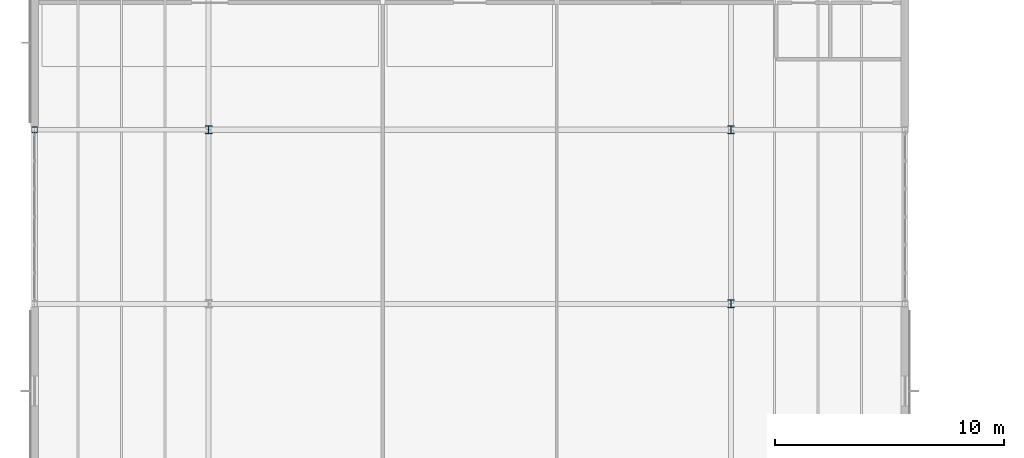
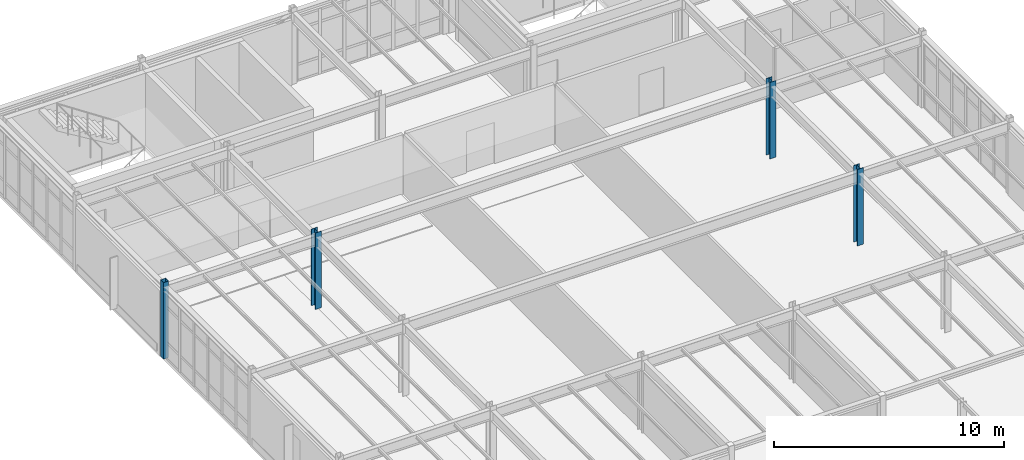
# One storey, part 9 of 189: 4 columns.
"""IFC4 building model written with IfcOpenShell, lengths in metres."""

from ifc_helpers import new_model, si_unit, direction, frame, origin, origin_2d, place, context, subcontext, project, spatial, hollow_rectangle, i_section, extrude, material, material_profile, profile_set, type_object, element, save


model = new_model("IFC4")

# Units and contexts
model_context = context("Model", 3, precision=1e-05, world=origin(), true_north=direction((0.0, 1.0)))
body_context = subcontext(model_context, "Body", "Model", "MODEL_VIEW")
ifc_project = project(units=[si_unit("LENGTHUNIT", "METRE"), si_unit("AREAUNIT", "SQUARE_METRE"), si_unit("VOLUMEUNIT", "CUBIC_METRE"), si_unit("PLANEANGLEUNIT", "RADIAN"), si_unit("MASSUNIT", "GRAM", prefix="KILO")], contexts=[model_context])

# Site, building, storey
site_placement = place(None, origin())
site = spatial("IfcSite", under=ifc_project, at=site_placement, CompositionType="ELEMENT")
building_placement = place(site_placement, origin())
building = spatial("IfcBuilding", under=site, at=building_placement, Name="Montecoro Central Library", CompositionType="ELEMENT")
storey_placement = place(building_placement, frame((0.0, 0.0, 9.179931640625)))
storey = spatial("IfcBuildingStorey", under=building, at=storey_placement, Name="L02", CompositionType="ELEMENT", Elevation=9.179931640625)

# Columns
ifc_material = material(Name="Steel S355", Category="steel")
ifc_material_profile_1 = material_profile(ifc_material, i_section(OverallWidth=0.300048828125, OverallDepth=0.360107421875, WebThickness=0.012451171875, FlangeThickness=0.0224609375, at=origin_2d()), Name="HEB 360")
ifc_profile_set_1 = profile_set([ifc_material_profile_1], Name="Steel S355")
column_type_1 = type_object("IfcColumnType", Name="COL-HEB360", PredefinedType="COLUMN", material=ifc_profile_set_1)
for number, where, z_axis, x_axis, name in (
    (1, (12.60009765625, 96.199951171875, 0.0), (0.0, 0.0, 1.0), (1.0, 0.0, 0.0), "V4-L02-COL-2-N"),
    (2, (35.39990234375, 88.60009765625, 0.0), (0.0, 0.0, 1.0), (1.0, 0.0, 0.0), "V4-L02-COL-5-M"),
    (3, (35.39990234375, 96.199951171875, 0.0), (0.0, 0.0, 1.0), (1.0, 0.0, 0.0), "V4-L02-COL-5-N"),
):
    element("IfcColumn", number, at=place(storey_placement, frame(where, z_axis=z_axis, x_axis=x_axis)), inside=storey, type_object=column_type_1, Name=name, PredefinedType="COLUMN", context=body_context, shape_type="SweptSolid", body=[
        extrude(i_section(OverallWidth=0.300048828125, OverallDepth=0.360107421875, WebThickness=0.012451171875, FlangeThickness=0.0224609375, at=origin_2d()), origin(), (0.0, 0.0, 1.0), 4.05517578125),
    ])
ifc_material_profile_2 = material_profile(ifc_material, hollow_rectangle(XDim=0.260009765625, YDim=0.260009765625, WallThickness=0.012451171875, at=origin_2d()), Name="SHS 260x260x12.5")
ifc_profile_set_2 = profile_set([ifc_material_profile_2], Name="Steel S355")
column_type_2 = type_object("IfcColumnType", Name="COL-SHS260", PredefinedType="COLUMN", material=ifc_profile_set_2)
column_placement = place(storey_placement, frame((5.0, 96.199951171875, 0.0), z_axis=(0.0, 0.0, 1.0), x_axis=(1.0, 0.0, 0.0)))
element("IfcColumn", 4, at=column_placement, inside=storey, type_object=column_type_2, Name="V4-L02-COL-1-N", PredefinedType="COLUMN", context=body_context, shape_type="SweptSolid", body=[
    extrude(hollow_rectangle(XDim=0.260009765625, YDim=0.260009765625, WallThickness=0.012451171875, at=origin_2d()), origin(), (0.0, 0.0, 1.0), 4.05517578125),
])

save(model, "model.ifc")
